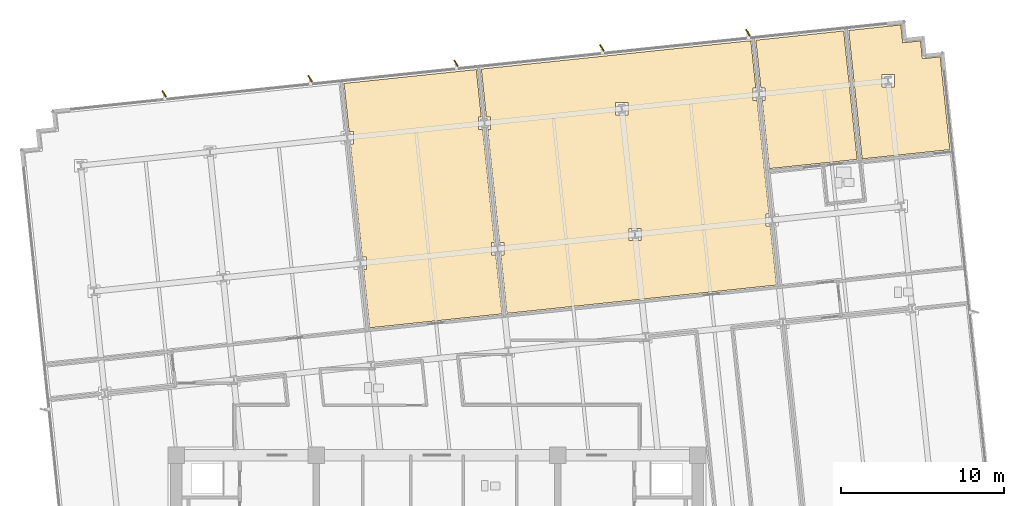
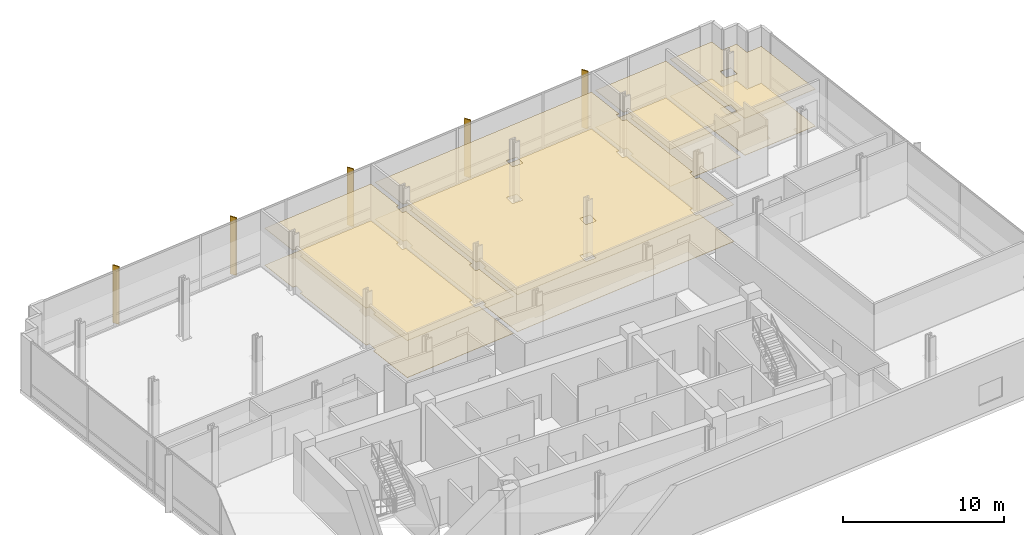
# One storey, part 19 of 20: 8 coverings, 5 shading devices.
"""IFC4 building model written with IfcOpenShell, lengths in metres."""

from ifc_helpers import new_model, si_unit, direction, frame, origin, origin_2d, place, context, subcontext, project, spatial, polyline, rectangle, outline, extrude, material, layer, layer_set, type_object, element, save


model = new_model("IFC4")

# Units and contexts
model_context = context("Model", 3, precision=1e-05, world=origin(), true_north=direction((0.0, 1.0)))
body_context = subcontext(model_context, "Body", "Model", "MODEL_VIEW")
ifc_project = project(units=[si_unit("LENGTHUNIT", "METRE"), si_unit("AREAUNIT", "SQUARE_METRE"), si_unit("VOLUMEUNIT", "CUBIC_METRE"), si_unit("PLANEANGLEUNIT", "RADIAN"), si_unit("MASSUNIT", "GRAM", prefix="KILO")], contexts=[model_context])

# Site, building, storey
site_placement = place(None, origin())
site = spatial("IfcSite", under=ifc_project, at=site_placement, CompositionType="ELEMENT")
building_placement = place(site_placement, origin())
building = spatial("IfcBuilding", under=site, at=building_placement, Name="Solmavex Isthmus Hotel", CompositionType="ELEMENT")
storey_placement = place(building_placement, frame((0.0, 0.0, 101.85009765625)))
storey = spatial("IfcBuildingStorey", under=building, at=storey_placement, Name="L27", CompositionType="ELEMENT", Elevation=101.85009765625)

# Coverings
ifc_material_1 = material(Name="Gypsum plasterboard lining", Category="gypsum")
ifc_layer_1 = layer(ifc_material_1, 0.030029296875)
ifc_layer_set_1 = layer_set([ifc_layer_1], Name="Gypsum plasterboard lining")
covering_type_1 = type_object("IfcCoveringType", Name="COV-CEIL-GYP", PredefinedType="CEILING", material=ifc_layer_set_1)
covering_1_placement = place(storey_placement, frame((0.0, 0.0, 2.7998046875)))
element("IfcCovering", 1, at=covering_1_placement, inside=storey, type_object=covering_type_1, Name="Suspended Acoustic Ceiling L27-RM02", PredefinedType="CEILING", context=body_context, shape_type="SweptSolid", body=[
    extrude(outline(polyline([(-4.58154296875, 9.64697265625), (-4.3173828125, 9.64697265625), (-4.3173828125, 8.886962890625), (-4.501708984375, 8.886962890625), (-4.1259765625, 5.31201171875), (-1.164306640625, 5.62353515625), (-0.57666015625, 5.68505859375), (3.9853515625, 6.16455078125), (3.606201171875, 9.77197265625), (3.34228515625, 9.77197265625), (3.34228515625, 10.531982421875), (3.5263671875, 10.531982421875), (2.7958984375, 17.4814453125), (2.53173828125, 17.4814453125), (2.53173828125, 18.241455078125), (2.716064453125, 18.241455078125), (2.41015625, 21.152099609375), (-5.701171875, 20.299560546875), (-5.391845703125, 17.356689453125), (-5.127685546875, 17.356689453125), (-5.127685546875, 16.5966796875), (-5.31201171875, 16.5966796875), (-4.58154296875, 9.64697265625)])), origin(), (0.0, 0.0, 1.0), 0.030029296875),
])
covering_2_placement = place(storey_placement, frame((0.0, 0.0, 2.7998046875)))
element("IfcCovering", 2, at=covering_2_placement, inside=storey, type_object=covering_type_1, Name="Suspended Acoustic Ceiling L27-RM03", PredefinedType="CEILING", context=body_context, shape_type="SweptSolid", body=[
    extrude(outline(polyline([(3.838134765625, 10.531982421875), (4.10205078125, 10.531982421875), (4.10205078125, 9.77197265625), (3.91796875, 9.77197265625), (4.293701171875, 6.197021484375), (15.69482421875, 7.395263671875), (17.917724609375, 7.62890625), (20.82470703125, 7.9345703125), (20.445556640625, 11.541748046875), (20.181396484375, 11.541748046875), (20.181396484375, 12.3017578125), (20.36572265625, 12.3017578125), (19.63525390625, 19.25146484375), (19.37109375, 19.25146484375), (19.37109375, 20.011474609375), (19.555419921875, 20.011474609375), (19.24951171875, 22.921875), (2.718505859375, 21.1845703125), (3.02783203125, 18.241455078125), (3.291748046875, 18.241455078125), (3.291748046875, 17.4814453125), (3.107666015625, 17.4814453125), (3.838134765625, 10.531982421875)]), holes=[polyline([(11.76171875, 10.656982421875), (11.76171875, 11.4169921875), (12.521728515625, 11.4169921875), (12.521728515625, 10.656982421875), (11.76171875, 10.656982421875)]), polyline([(10.951416015625, 18.366455078125), (10.951416015625, 19.12646484375), (11.71142578125, 19.12646484375), (11.71142578125, 18.366455078125), (10.951416015625, 18.366455078125)])]), origin(), (0.0, 0.0, 1.0), 0.030029296875),
])
covering_3_placement = place(storey_placement, frame((0.0, 0.0, 2.7998046875)))
element("IfcCovering", 3, at=covering_3_placement, inside=storey, type_object=covering_type_1, Name="Suspended Acoustic Ceiling L27-HB04", PredefinedType="CEILING", context=body_context, shape_type="SweptSolid", body=[
    extrude(outline(polyline([(19.866943359375, 20.011474609375), (20.131103515625, 20.011474609375), (20.131103515625, 19.25146484375), (19.947021484375, 19.25146484375), (20.3857421875, 15.07568359375), (25.77001953125, 15.6416015625), (24.942138671875, 23.520263671875), (19.5576171875, 22.954345703125), (19.866943359375, 20.011474609375)])), origin(), (0.0, 0.0, 1.0), 0.030029296875),
])
covering_4_placement = place(storey_placement, frame((0.0, 0.0, 2.7998046875)))
element("IfcCovering", 4, at=covering_4_placement, inside=storey, type_object=covering_type_1, Name="Suspended Acoustic Ceiling L27-HP04", PredefinedType="CEILING", context=body_context, shape_type="SweptSolid", body=[
    extrude(outline(polyline([(30.86474609375, 21.9306640625), (29.770751953125, 21.815673828125), (29.65576171875, 22.90966796875), (28.561767578125, 22.794677734375), (28.44677734375, 23.888671875), (27.626220703125, 23.802490234375), (25.250244140625, 23.552734375), (26.078369140625, 15.674072265625), (31.462646484375, 16.239990234375), (30.950927734375, 21.110107421875), (30.86474609375, 21.9306640625)]), holes=[polyline([(27.29541015625, 20.84423828125), (28.055419921875, 20.84423828125), (28.055419921875, 20.084228515625), (27.29541015625, 20.084228515625), (27.29541015625, 20.84423828125)])]), origin(), (0.0, 0.0, 1.0), 0.030029296875),
])
ifc_material_2 = material(Name="Travertine natural stone", Category="masonry")
ifc_layer_2 = layer(ifc_material_2, 0.02490234375)
ifc_layer_set_2 = layer_set([ifc_layer_2], Name="Travertine natural stone")
covering_type_2 = type_object("IfcCoveringType", Name="COV-FLOR-STN", PredefinedType="FLOORING", material=ifc_layer_set_2)
covering_5_placement = place(storey_placement, origin())
element("IfcCovering", 5, at=covering_5_placement, inside=storey, type_object=covering_type_2, Name="Stone and Timber Floor Finish L27-RM02", PredefinedType="FLOORING", context=body_context, shape_type="SweptSolid", body=[
    extrude(outline(polyline([(-4.58154296875, 9.64697265625), (-4.3173828125, 9.64697265625), (-4.3173828125, 8.886962890625), (-4.501708984375, 8.886962890625), (-4.1259765625, 5.31201171875), (-1.164306640625, 5.62353515625), (-0.57666015625, 5.68505859375), (3.9853515625, 6.16455078125), (3.606201171875, 9.77197265625), (3.34228515625, 9.77197265625), (3.34228515625, 10.531982421875), (3.5263671875, 10.531982421875), (2.7958984375, 17.4814453125), (2.53173828125, 17.4814453125), (2.53173828125, 18.241455078125), (2.716064453125, 18.241455078125), (2.41015625, 21.152099609375), (-5.701171875, 20.299560546875), (-5.391845703125, 17.356689453125), (-5.127685546875, 17.356689453125), (-5.127685546875, 16.5966796875), (-5.31201171875, 16.5966796875), (-4.58154296875, 9.64697265625)])), origin(), (0.0, 0.0, 1.0), 0.02490234375),
])
covering_6_placement = place(storey_placement, origin())
element("IfcCovering", 6, at=covering_6_placement, inside=storey, type_object=covering_type_2, Name="Stone and Timber Floor Finish L27-RM03", PredefinedType="FLOORING", context=body_context, shape_type="SweptSolid", body=[
    extrude(outline(polyline([(3.838134765625, 10.531982421875), (4.10205078125, 10.531982421875), (4.10205078125, 9.77197265625), (3.91796875, 9.77197265625), (4.293701171875, 6.197021484375), (15.69482421875, 7.395263671875), (17.917724609375, 7.62890625), (20.82470703125, 7.9345703125), (20.445556640625, 11.541748046875), (20.181396484375, 11.541748046875), (20.181396484375, 12.3017578125), (20.36572265625, 12.3017578125), (19.63525390625, 19.25146484375), (19.37109375, 19.25146484375), (19.37109375, 20.011474609375), (19.555419921875, 20.011474609375), (19.24951171875, 22.921875), (2.718505859375, 21.1845703125), (3.02783203125, 18.241455078125), (3.291748046875, 18.241455078125), (3.291748046875, 17.4814453125), (3.107666015625, 17.4814453125), (3.838134765625, 10.531982421875)]), holes=[polyline([(11.76171875, 10.656982421875), (11.76171875, 11.4169921875), (12.521728515625, 11.4169921875), (12.521728515625, 10.656982421875), (11.76171875, 10.656982421875)]), polyline([(10.951416015625, 18.366455078125), (10.951416015625, 19.12646484375), (11.71142578125, 19.12646484375), (11.71142578125, 18.366455078125), (10.951416015625, 18.366455078125)])]), origin(), (0.0, 0.0, 1.0), 0.02490234375),
])
covering_7_placement = place(storey_placement, origin())
element("IfcCovering", 7, at=covering_7_placement, inside=storey, type_object=covering_type_2, Name="Stone and Timber Floor Finish L27-HB04", PredefinedType="FLOORING", context=body_context, shape_type="SweptSolid", body=[
    extrude(outline(polyline([(19.866943359375, 20.011474609375), (20.131103515625, 20.011474609375), (20.131103515625, 19.25146484375), (19.947021484375, 19.25146484375), (20.3857421875, 15.07568359375), (25.77001953125, 15.6416015625), (24.942138671875, 23.520263671875), (19.5576171875, 22.954345703125), (19.866943359375, 20.011474609375)])), origin(), (0.0, 0.0, 1.0), 0.02490234375),
])
covering_8_placement = place(storey_placement, origin())
element("IfcCovering", 8, at=covering_8_placement, inside=storey, type_object=covering_type_2, Name="Stone and Timber Floor Finish L27-HP04", PredefinedType="FLOORING", context=body_context, shape_type="SweptSolid", body=[
    extrude(outline(polyline([(30.86474609375, 21.9306640625), (29.770751953125, 21.815673828125), (29.65576171875, 22.90966796875), (28.561767578125, 22.794677734375), (28.44677734375, 23.888671875), (27.626220703125, 23.802490234375), (25.250244140625, 23.552734375), (26.078369140625, 15.674072265625), (31.462646484375, 16.239990234375), (30.950927734375, 21.110107421875), (30.86474609375, 21.9306640625)]), holes=[polyline([(27.29541015625, 20.84423828125), (28.055419921875, 20.84423828125), (28.055419921875, 20.084228515625), (27.29541015625, 20.084228515625), (27.29541015625, 20.84423828125)])]), origin(), (0.0, 0.0, 1.0), 0.02490234375),
])

# Shading devices
ifc_material_3 = material(Name="Aluminium alloy 6063-T6", Category="aluminium")
shading_device_type = type_object("IfcShadingDeviceType", Name="SHD-FIN-BRONZE", PredefinedType="USERDEFINED", material=ifc_material_3)
for number, where, z_axis, x_axis, name in (
    (9, (-16.7333984375, 19.657958984375, -0.14013671875), (0.0, 0.0, 1.0), (-0.529919264233, 0.848048096156, 0.0), "Anodised Aluminium Solar Fin L27-N1"),
    (10, (-7.78271484375, 20.5986328125, -0.14013671875), (0.0, 0.0, 1.0), (-0.529919264233, 0.848048096156, 0.0), "Anodised Aluminium Solar Fin L27-N2"),
    (11, (1.16796875, 21.539306640625, -0.14013671875), (0.0, 0.0, 1.0), (-0.529919264233, 0.848048096156, 0.0), "Anodised Aluminium Solar Fin L27-N3"),
    (12, (10.11865234375, 22.480224609375, -0.14013671875), (0.0, 0.0, 1.0), (-0.529919264233, 0.848048096156, 0.0), "Anodised Aluminium Solar Fin L27-N4"),
    (13, (19.0693359375, 23.4208984375, -0.14013671875), (0.0, 0.0, 1.0), (-0.529919264233, 0.848048096156, 0.0), "Anodised Aluminium Solar Fin L27-N5"),
):
    element("IfcShadingDevice", number, at=place(storey_placement, frame(where, z_axis=z_axis, x_axis=x_axis)), inside=storey, type_object=shading_device_type, Name=name, ObjectType="SOLAR_FIN", PredefinedType="USERDEFINED", context=body_context, shape_type="SweptSolid", body=[
        extrude(rectangle(XDim=0.449951171875, YDim=0.080078125, at=origin_2d()), origin(), (0.0, 0.0, 1.0), 4.3798828125),
    ])

save(model, "model.ifc")
